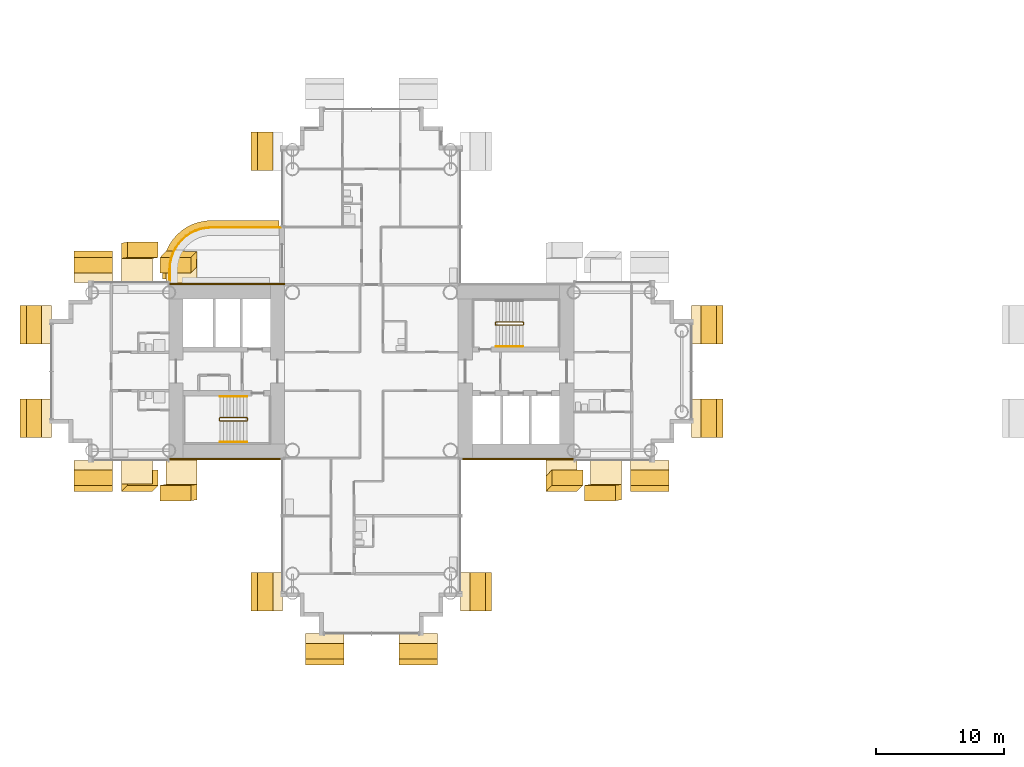
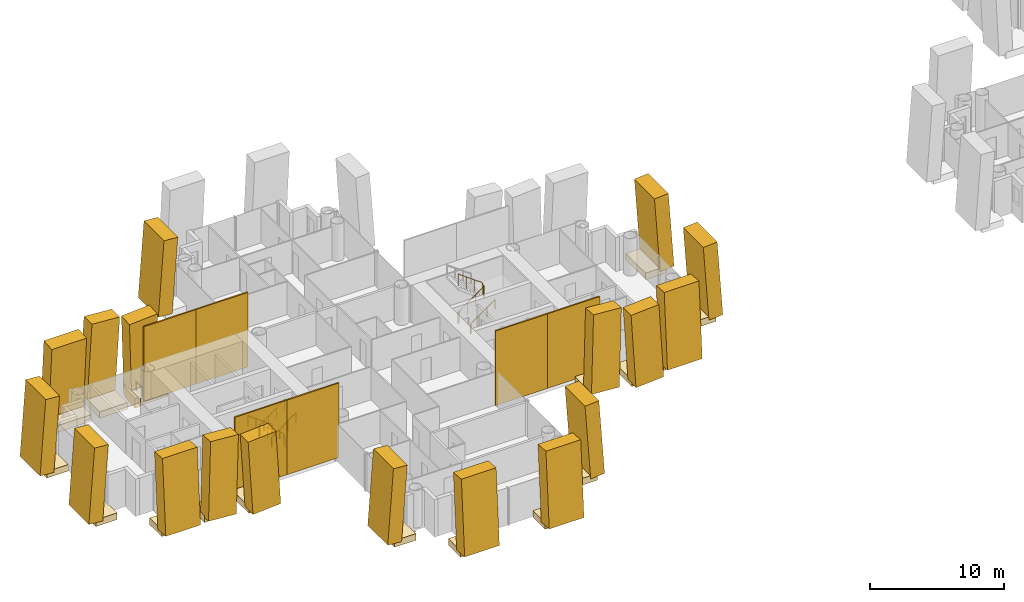
# One storey, part 22 of 25: 42 coverings, 6 railings.
"""IFC4 building model written with IfcOpenShell, lengths in metres."""

from ifc_helpers import new_model, si_unit, direction, frame, origin, origin_2d, place, context, subcontext, project, spatial, polyline, rectangle, circle, outline, extrude, material, layer, layer_set, material_profile, profile_set, type_object, element, save


model = new_model("IFC4")

# Units and contexts
model_context = context("Model", 3, precision=1e-05, world=origin(), true_north=direction((0.0, 1.0)))
body_context = subcontext(model_context, "Body", "Model", "MODEL_VIEW")
ifc_project = project(units=[si_unit("LENGTHUNIT", "METRE"), si_unit("AREAUNIT", "SQUARE_METRE"), si_unit("VOLUMEUNIT", "CUBIC_METRE"), si_unit("PLANEANGLEUNIT", "RADIAN"), si_unit("MASSUNIT", "GRAM", prefix="KILO")], contexts=[model_context])

# Site, building, storey
site_placement = place(None, origin())
site = spatial("IfcSite", under=ifc_project, at=site_placement, CompositionType="ELEMENT")
building_placement = place(site_placement, origin())
building = spatial("IfcBuilding", under=site, at=building_placement, Name="Ipe Terrace Towers", CompositionType="ELEMENT")
storey_placement = place(building_placement, frame((0.0, 0.0, 31.300048828125)))
storey = spatial("IfcBuildingStorey", under=building, at=storey_placement, Name="L07", CompositionType="ELEMENT", Elevation=31.300048828125)

# Railing
ifc_material_1 = material(Name="Stainless steel S316", Category="steel")
railing_type_1 = type_object("IfcRailingType", Name="GUARD 1100", PredefinedType="BALUSTRADE", material=ifc_material_1)
railing_1_placement = place(storey_placement, frame((-43.070068359375, 11.199951171875, -0.02001953125)))
element("IfcRailing", 1, at=railing_1_placement, inside=storey, type_object=railing_type_1, Name="guard", PredefinedType="BALUSTRADE", context=body_context, shape_type="SweptSolid", body=[
    extrude(circle(Radius=0.02392578125, at=origin_2d()), frame((0.0, 0.0, 1.076171875), z_axis=(-1.0, 0.0, 0.0), x_axis=(0.0, -1.0, 0.0)), (0.0, 0.0, 1.0), 5.3779296875),
    extrude(circle(Radius=0.02392578125, at=origin_2d()), frame((-5.3779296875, 0.0, 1.076171875), z_axis=(-0.997872833927, -0.065190546171, 0.0), x_axis=(0.065190546171, -0.997872833927, 0.0)), (0.0, 0.0, 1.0), 0.427001953125),
    extrude(circle(Radius=0.02392578125, at=origin_2d()), frame((-5.803955078125, -0.02783203125, 1.076171875), z_axis=(-0.980756958892, -0.195232649896, 0.0), x_axis=(0.195232649896, -0.980756958892, 0.0)), (0.0, 0.0, 1.0), 0.42529296875),
    extrude(circle(Radius=0.02392578125, at=origin_2d()), frame((-6.220947265625, -0.11083984375, 1.076171875), z_axis=(-0.947355280148, -0.320184280026, 0.0), x_axis=(0.320184280026, -0.947355280148, 0.0)), (0.0, 0.0, 1.0), 0.425537109375),
    extrude(circle(Radius=0.02392578125, at=origin_2d()), frame((-6.6240234375, -0.2470703125, 1.076171875), z_axis=(-0.895801099535, -0.444455160923, 0.0), x_axis=(0.444455160923, -0.895801099535, 0.0)), (0.0, 0.0, 1.0), 0.425048828125),
    extrude(circle(Radius=0.02392578125, at=origin_2d()), frame((-7.0048828125, -0.43603515625, 1.076171875), z_axis=(-0.83151910003, -0.55549616226, 0.0), x_axis=(0.55549616226, -0.83151910003, 0.0)), (0.0, 0.0, 1.0), 0.424560546875),
    extrude(circle(Radius=0.02392578125, at=origin_2d()), frame((-7.35791015625, -0.671875, 1.076171875), z_axis=(-0.752612255774, -0.658463964434, 0.0), x_axis=(0.658463964434, -0.752612255774, 0.0)), (0.0, 0.0, 1.0), 0.42529296875),
    extrude(circle(Radius=0.02392578125, at=origin_2d()), frame((-7.677978515625, -0.951904296875, 1.076171875), z_axis=(-0.658463964434, -0.752612255774, 0.0), x_axis=(0.752612255774, -0.658463964434, 0.0)), (0.0, 0.0, 1.0), 0.42529296875),
    extrude(circle(Radius=0.02392578125, at=origin_2d()), frame((-7.9580078125, -1.27197265625, 1.076171875), z_axis=(-0.55549616226, -0.83151910003, 0.0), x_axis=(0.83151910003, -0.55549616226, 0.0)), (0.0, 0.0, 1.0), 0.424560546875),
    extrude(circle(Radius=0.02392578125, at=origin_2d()), frame((-8.19384765625, -1.625, 1.076171875), z_axis=(-0.444455160923, -0.895801099535, 0.0), x_axis=(0.895801099535, -0.444455160923, 0.0)), (0.0, 0.0, 1.0), 0.425048828125),
    extrude(circle(Radius=0.02392578125, at=origin_2d()), frame((-8.3828125, -2.005859375, 1.076171875), z_axis=(-0.320184280026, -0.947355280148, 0.0), x_axis=(0.947355280148, -0.320184280026, 0.0)), (0.0, 0.0, 1.0), 0.425537109375),
    extrude(circle(Radius=0.02392578125, at=origin_2d()), frame((-8.51904296875, -2.408935546875, 1.076171875), z_axis=(-0.195232649896, -0.980756958892, 0.0), x_axis=(0.980756958892, -0.195232649896, 0.0)), (0.0, 0.0, 1.0), 0.42529296875),
    extrude(circle(Radius=0.02392578125, at=origin_2d()), frame((-8.60205078125, -2.825927734375, 1.076171875), z_axis=(-0.065190546171, -0.997872833927, 0.0), x_axis=(0.997872833927, -0.065190546171, 0.0)), (0.0, 0.0, 1.0), 0.427001953125),
    extrude(circle(Radius=0.02392578125, at=origin_2d()), frame((-8.6298828125, -3.251953125, 1.076171875), z_axis=(0.0, -1.0, 0.0), x_axis=(1.0, 0.0, 0.0)), (0.0, 0.0, 1.0), 0.8779296875),
    extrude(circle(Radius=0.02099609375, at=origin_2d()), origin(), (0.0, 0.0, 1.0), 1.052001953125),
    extrude(circle(Radius=0.02099609375, at=origin_2d()), frame((-1.07568359375, 0.0, 0.0)), (0.0, 0.0, 1.0), 1.052001953125),
    extrude(circle(Radius=0.02099609375, at=origin_2d()), frame((-2.151123046875, 0.0, 0.0)), (0.0, 0.0, 1.0), 1.052001953125),
    extrude(circle(Radius=0.02099609375, at=origin_2d()), frame((-3.226806640625, 0.0, 0.0)), (0.0, 0.0, 1.0), 1.052001953125),
    extrude(circle(Radius=0.02099609375, at=origin_2d()), frame((-4.30224609375, 0.0, 0.0)), (0.0, 0.0, 1.0), 1.052001953125),
    extrude(circle(Radius=0.02099609375, at=origin_2d()), frame((-5.3779296875, 0.0, 0.0)), (0.0, 0.0, 1.0), 1.052001953125),
    extrude(circle(Radius=0.02099609375, at=origin_2d()), frame((-5.803955078125, -0.02783203125, 0.0)), (0.0, 0.0, 1.0), 1.052001953125),
    extrude(circle(Radius=0.02099609375, at=origin_2d()), frame((-6.220947265625, -0.11083984375, 0.0)), (0.0, 0.0, 1.0), 1.052001953125),
    extrude(circle(Radius=0.02099609375, at=origin_2d()), frame((-6.6240234375, -0.2470703125, 0.0)), (0.0, 0.0, 1.0), 1.052001953125),
    extrude(circle(Radius=0.02099609375, at=origin_2d()), frame((-7.0048828125, -0.43603515625, 0.0)), (0.0, 0.0, 1.0), 1.052001953125),
    extrude(circle(Radius=0.02099609375, at=origin_2d()), frame((-7.35791015625, -0.671875, 0.0)), (0.0, 0.0, 1.0), 1.052001953125),
    extrude(circle(Radius=0.02099609375, at=origin_2d()), frame((-7.677978515625, -0.951904296875, 0.0)), (0.0, 0.0, 1.0), 1.052001953125),
    extrude(circle(Radius=0.02099609375, at=origin_2d()), frame((-7.9580078125, -1.27197265625, 0.0)), (0.0, 0.0, 1.0), 1.052001953125),
    extrude(circle(Radius=0.02099609375, at=origin_2d()), frame((-8.19384765625, -1.625, 0.0)), (0.0, 0.0, 1.0), 1.052001953125),
    extrude(circle(Radius=0.02099609375, at=origin_2d()), frame((-8.3828125, -2.005859375, 0.0)), (0.0, 0.0, 1.0), 1.052001953125),
    extrude(circle(Radius=0.02099609375, at=origin_2d()), frame((-8.51904296875, -2.408935546875, 0.0)), (0.0, 0.0, 1.0), 1.052001953125),
    extrude(circle(Radius=0.02099609375, at=origin_2d()), frame((-8.60205078125, -2.825927734375, 0.0)), (0.0, 0.0, 1.0), 1.052001953125),
    extrude(circle(Radius=0.02099609375, at=origin_2d()), frame((-8.6298828125, -3.251953125, 0.0)), (0.0, 0.0, 1.0), 1.052001953125),
    extrude(circle(Radius=0.02099609375, at=origin_2d()), frame((-8.6298828125, -4.1298828125, 0.0)), (0.0, 0.0, 1.0), 1.052001953125),
])

# Coverings
ifc_material_2 = material(Name="Concrete C50/60 precast, buff finish", Category="concrete")
ifc_layer_1 = layer(ifc_material_2, 0.1201171875)
ifc_layer_set_1 = layer_set([ifc_layer_1], Name="STONE CORE CLADDING 120")
covering_type_1 = type_object("IfcCoveringType", Name="STONE CORE CLADDING 120", PredefinedType="CLADDING", material=ifc_layer_set_1)
covering_1_placement = place(storey_placement, frame((-49.5009765625, -6.81005859375, 0.0), z_axis=(0.0, 0.0, 1.0), x_axis=(1.0, 0.0, 0.0)))
element("IfcCovering", 2, at=covering_1_placement, inside=storey, type_object=covering_type_1, Name="stone core cladding", PredefinedType="CLADDING", context=body_context, shape_type="SweptSolid", body=[
    extrude(rectangle(XDim=4.5009765625, YDim=0.1201171875, at=origin_2d()), origin(), (0.0, 0.0, 1.0), 6.800048828125),
])
covering_2_placement = place(storey_placement, frame((-45.0, -6.81005859375, 0.0), z_axis=(0.0, 0.0, 1.0), x_axis=(1.0, 0.0, 0.0)))
element("IfcCovering", 3, at=covering_2_placement, inside=storey, type_object=covering_type_1, Name="stone core cladding", PredefinedType="CLADDING", context=body_context, shape_type="SweptSolid", body=[
    extrude(rectangle(XDim=4.5, YDim=0.1201171875, at=origin_2d()), origin(), (0.0, 0.0, 1.0), 6.800048828125),
])
covering_3_placement = place(storey_placement, frame((-49.5009765625, 6.81005859375, 0.0), z_axis=(0.0, 0.0, 1.0), x_axis=(-1.0, 0.0, 0.0)))
element("IfcCovering", 4, at=covering_3_placement, inside=storey, type_object=covering_type_1, Name="stone core cladding", PredefinedType="CLADDING", context=body_context, shape_type="SweptSolid", body=[
    extrude(rectangle(XDim=4.5009765625, YDim=0.1201171875, at=origin_2d()), origin(), (0.0, 0.0, 1.0), 6.800048828125),
])
for number, where, z_axis, x_axis, name in (
    (5, (-45.0, 6.81005859375, 0.0), (0.0, 0.0, 1.0), (-1.0, 0.0, 0.0), "stone core cladding"),
    (6, (-27.0, -6.81005859375, 0.0), (0.0, 0.0, 1.0), (1.0, 0.0, 0.0), "stone core cladding"),
):
    element("IfcCovering", number, at=place(storey_placement, frame(where, z_axis=z_axis, x_axis=x_axis)), inside=storey, type_object=covering_type_1, Name=name, PredefinedType="CLADDING", context=body_context, shape_type="SweptSolid", body=[
        extrude(rectangle(XDim=4.5, YDim=0.1201171875, at=origin_2d()), origin(), (0.0, 0.0, 1.0), 6.800048828125),
    ])
covering_4_placement = place(storey_placement, frame((-22.4990234375, -6.81005859375, 0.0), z_axis=(0.0, 0.0, 1.0), x_axis=(1.0, 0.0, 0.0)))
element("IfcCovering", 7, at=covering_4_placement, inside=storey, type_object=covering_type_1, Name="stone core cladding", PredefinedType="CLADDING", context=body_context, shape_type="SweptSolid", body=[
    extrude(rectangle(XDim=4.5009765625, YDim=0.1201171875, at=origin_2d()), origin(), (0.0, 0.0, 1.0), 6.800048828125),
])
ifc_material_3 = material(Name="Concrete C50/60 precast, buff finish", Category="concrete")
ifc_layer_2 = layer(ifc_material_3, 0.5)
ifc_layer_set_2 = layer_set([ifc_layer_2], Name="STONE EDGE BAND 500 x 900")
covering_type_2 = type_object("IfcCoveringType", Name="STONE EDGE BAND 500 x 900", PredefinedType="CLADDING", material=ifc_layer_set_2)
covering_5_placement = place(storey_placement, frame((0.0, 0.0, -0.719970703125)))
element("IfcCovering", 8, at=covering_5_placement, inside=storey, type_object=covering_type_2, Name="stone edge band", PredefinedType="CLADDING", context=body_context, shape_type="SweptSolid", body=[
    extrude(outline(polyline([(-48.449951171875, 11.75), (-48.48291015625, 11.7490234375), (-48.9130859375, 11.720947265625), (-48.97802734375, 11.7119140625), (-49.402099609375, 11.6279296875), (-49.465087890625, 11.611083984375), (-49.8740234375, 11.471923828125), (-49.93408203125, 11.447021484375), (-50.321044921875, 11.256103515625), (-50.3779296875, 11.22412109375), (-50.737060546875, 10.98388671875), (-50.7890625, 10.944091796875), (-51.113037109375, 10.658935546875), (-51.158935546875, 10.613037109375), (-51.444091796875, 10.2890625), (-51.48388671875, 10.237060546875), (-51.72412109375, 9.8779296875), (-51.756103515625, 9.821044921875), (-51.947021484375, 9.43408203125), (-51.971923828125, 9.3740234375), (-52.111083984375, 8.965087890625), (-52.1279296875, 8.902099609375), (-52.2119140625, 8.47802734375), (-52.220947265625, 8.4130859375), (-52.2490234375, 7.98291015625), (-52.25, 7.949951171875), (-52.25, 7.199951171875), (-51.75, 7.199951171875), (-51.75, 7.949951171875), (-51.721923828125, 8.381103515625), (-51.637939453125, 8.803955078125), (-51.4990234375, 9.212890625), (-51.30810546875, 9.60009765625), (-51.068115234375, 9.958984375), (-50.782958984375, 10.282958984375), (-50.458984375, 10.568115234375), (-50.10009765625, 10.80810546875), (-49.712890625, 10.9990234375), (-49.303955078125, 11.137939453125), (-48.881103515625, 11.221923828125), (-48.449951171875, 11.25), (-43.199951171875, 11.25), (-43.199951171875, 11.75), (-48.449951171875, 11.75)])), origin(), (0.0, 0.0, 1.0), 0.89990234375),
])
ifc_material_4 = material(Name="Concrete C50/60 precast, buff finish", Category="concrete")
ifc_material_profile_1 = material_profile(ifc_material_4, rectangle(XDim=2.39990234375, YDim=1.199951171875, at=origin_2d()), Name="STONE FIN 2400 x 1200")
ifc_profile_set_1 = profile_set([ifc_material_profile_1], Name="Concrete C50/60 precast, buff finish")
covering_type_3 = type_object("IfcCoveringType", Name="STONE FIN 2400 x 1200", PredefinedType="USERDEFINED", material=ifc_profile_set_1)
covering_6_placement = place(storey_placement, frame((-17.739013671875, -9.388916015625, 0.0), z_axis=(-0.068052528161, -0.011604746907, 0.997614245718), x_axis=(0.99768173954, -0.000791567422, 0.068047924363)))
element("IfcCovering", 9, at=covering_6_placement, inside=storey, type_object=covering_type_3, Name="stone fin", ObjectType="FIN", PredefinedType="USERDEFINED", context=body_context, shape_type="SweptSolid", body=[
    extrude(rectangle(XDim=2.39990234375, YDim=1.199951171875, at=origin_2d()), origin(), (0.0, 0.0, 1.0), 6.81640625),
])
covering_7_placement = place(storey_placement, frame((-21.2109375, -8.758056640625, 0.0), z_axis=(0.067881925236, 0.071704749447, 0.995113296632), x_axis=(0.997693361823, -0.004878709859, -0.067706380526)))
element("IfcCovering", 10, at=covering_7_placement, inside=storey, type_object=covering_type_3, Name="stone fin", ObjectType="FIN", PredefinedType="USERDEFINED", context=body_context, shape_type="SweptSolid", body=[
    extrude(rectangle(XDim=2.39990234375, YDim=1.199951171875, at=origin_2d()), origin(), (0.0, 0.0, 1.0), 6.83349609375),
])
covering_8_placement = place(storey_placement, frame((-50.7890625, -9.388916015625, 0.0), z_axis=(-0.068052528161, -0.011604746907, 0.997614245718), x_axis=(0.99768173954, -0.000791567422, 0.068047924363)))
element("IfcCovering", 11, at=covering_8_placement, inside=storey, type_object=covering_type_3, Name="stone fin", ObjectType="FIN", PredefinedType="USERDEFINED", context=body_context, shape_type="SweptSolid", body=[
    extrude(rectangle(XDim=2.39990234375, YDim=1.199951171875, at=origin_2d()), origin(), (0.0, 0.0, 1.0), 6.81640625),
])
for number, where, z_axis, x_axis, name in (
    (12, (-50.7890625, 8.758056640625, 0.0), (-0.067881925236, -0.071704749447, 0.995113296632), (-0.997693361823, 0.004878709859, -0.067706380526), "stone fin"),
    (13, (-54.260986328125, -8.758056640625, 0.0), (0.067881925236, 0.071704749447, 0.995113296632), (0.997693361823, -0.004878709859, -0.067706380526), "stone fin"),
):
    element("IfcCovering", number, at=place(storey_placement, frame(where, z_axis=z_axis, x_axis=x_axis)), inside=storey, type_object=covering_type_3, Name=name, ObjectType="FIN", PredefinedType="USERDEFINED", context=body_context, shape_type="SweptSolid", body=[
        extrude(rectangle(XDim=2.39990234375, YDim=1.199951171875, at=origin_2d()), origin(), (0.0, 0.0, 1.0), 6.83349609375),
    ])
covering_9_placement = place(storey_placement, frame((-54.260986328125, 9.388916015625, 0.0), z_axis=(0.068052528161, 0.011604746907, 0.997614245718), x_axis=(-0.99768173954, 0.000791567422, 0.068047924363)))
element("IfcCovering", 14, at=covering_9_placement, inside=storey, type_object=covering_type_3, Name="stone fin", ObjectType="FIN", PredefinedType="USERDEFINED", context=body_context, shape_type="SweptSolid", body=[
    extrude(rectangle(XDim=2.39990234375, YDim=1.199951171875, at=origin_2d()), origin(), (0.0, 0.0, 1.0), 6.81640625),
])
ifc_material_5 = material(Name="Concrete C50/60 precast, buff finish", Category="concrete")
ifc_material_profile_2 = material_profile(ifc_material_5, rectangle(XDim=3.0, YDim=1.199951171875, at=origin_2d()), Name="STONE FIN CORNER 3000 x 1200")
ifc_profile_set_2 = profile_set([ifc_material_profile_2], Name="Concrete C50/60 precast, buff finish")
covering_type_4 = type_object("IfcCoveringType", Name="STONE FIN CORNER 3000 x 1200", PredefinedType="USERDEFINED", material=ifc_profile_set_2)
for number, where, z_axis, x_axis, name in (
    (15, (-9.241943359375, -3.64990234375, 0.0), (-0.071870528752, 0.0, 0.997413969772), (0.0, 1.0, 0.0), "stone fin"),
    (16, (-9.241943359375, 3.64990234375, 0.0), (-0.071870528752, 0.0, 0.997413969772), (0.0, 1.0, 0.0), "stone fin"),
    (17, (-14.35009765625, -8.758056640625, 0.0), (0.0, 0.071870528752, 0.997413969772), (1.0, 0.0, 0.0), "stone fin"),
    (18, (-27.241943359375, -17.14990234375, 0.0), (-0.071870528752, 0.0, 0.997413969772), (0.0, 1.0, 0.0), "stone fin"),
    (19, (-32.35009765625, -22.258056640625, 0.0), (0.0, 0.071870528752, 0.997413969772), (1.0, 0.0, 0.0), "stone fin"),
    (20, (-39.64990234375, -22.258056640625, 0.0), (0.0, 0.071870528752, 0.997413969772), (1.0, 0.0, 0.0), "stone fin"),
    (21, (-44.758056640625, -17.14990234375, 0.0), (0.071870528752, 0.0, 0.997413969772), (0.0, -1.0, 0.0), "stone fin"),
    (22, (-44.758056640625, 17.14990234375, 0.0), (0.071870528752, 0.0, 0.997413969772), (0.0, -1.0, 0.0), "stone fin"),
    (23, (-57.64990234375, -8.758056640625, 0.0), (0.0, 0.071870528752, 0.997413969772), (1.0, 0.0, 0.0), "stone fin"),
    (24, (-57.64990234375, 8.758056640625, 0.0), (0.0, -0.071870528752, 0.997413969772), (-1.0, 0.0, 0.0), "stone fin"),
    (25, (-62.758056640625, -3.64990234375, 0.0), (0.071870528752, 0.0, 0.997413969772), (0.0, -1.0, 0.0), "stone fin"),
    (26, (-62.758056640625, 3.64990234375, 0.0), (0.071870528752, 0.0, 0.997413969772), (0.0, -1.0, 0.0), "stone fin"),
):
    element("IfcCovering", number, at=place(storey_placement, frame(where, z_axis=z_axis, x_axis=x_axis)), inside=storey, type_object=covering_type_4, Name=name, ObjectType="FIN", PredefinedType="USERDEFINED", context=body_context, shape_type="SweptSolid", body=[
        extrude(rectangle(XDim=3.0, YDim=1.199951171875, at=origin_2d()), origin(), (0.0, 0.0, 1.0), 6.817626953125),
    ])
ifc_material_6 = material(Name="Concrete C50/60 precast, buff finish", Category="concrete")
covering_type_5 = type_object("IfcCoveringType", Name="STONE FIN SHELF 2400 x 600", PredefinedType="CLADDING", material=ifc_material_6)
covering_10_placement = place(storey_placement, frame((-17.739013671875, -8.152099609375, -0.35009765625), z_axis=(0.0, 0.0, 1.0), x_axis=(1.0, 0.0, 0.0)))
element("IfcCovering", 27, at=covering_10_placement, inside=storey, type_object=covering_type_5, Name="stone fin shelf", PredefinedType="CLADDING", context=body_context, shape_type="SweptSolid", body=[
    extrude(rectangle(XDim=2.39990234375, YDim=2.472900390625, at=origin_2d()), origin(), (0.0, 0.0, 1.0), 0.60009765625),
])
covering_11_placement = place(storey_placement, frame((-21.2109375, -7.80908203125, -0.35009765625), z_axis=(0.0, 0.0, 1.0), x_axis=(1.0, 0.0, 0.0)))
element("IfcCovering", 28, at=covering_11_placement, inside=storey, type_object=covering_type_5, Name="stone fin shelf", PredefinedType="CLADDING", context=body_context, shape_type="SweptSolid", body=[
    extrude(rectangle(XDim=2.39990234375, YDim=1.89794921875, at=origin_2d()), origin(), (0.0, 0.0, 1.0), 0.60009765625),
])
covering_12_placement = place(storey_placement, frame((-50.7890625, -8.1240234375, -0.35009765625), z_axis=(0.0, 0.0, 1.0), x_axis=(1.0, 0.0, 0.0)))
element("IfcCovering", 29, at=covering_12_placement, inside=storey, type_object=covering_type_5, Name="stone fin shelf", PredefinedType="CLADDING", context=body_context, shape_type="SweptSolid", body=[
    extrude(rectangle(XDim=2.39990234375, YDim=2.529052734375, at=origin_2d()), origin(), (0.0, 0.0, 1.0), 0.60009765625),
])
covering_13_placement = place(storey_placement, frame((-50.7890625, 7.80908203125, -0.35009765625), z_axis=(0.0, 0.0, 1.0), x_axis=(-1.0, 0.0, 0.0)))
element("IfcCovering", 30, at=covering_13_placement, inside=storey, type_object=covering_type_5, Name="stone fin shelf", PredefinedType="CLADDING", context=body_context, shape_type="SweptSolid", body=[
    extrude(rectangle(XDim=2.39990234375, YDim=1.89794921875, at=origin_2d()), origin(), (0.0, 0.0, 1.0), 0.60009765625),
])
covering_14_placement = place(storey_placement, frame((-54.260986328125, -7.8369140625, -0.35009765625), z_axis=(0.0, 0.0, 1.0), x_axis=(1.0, 0.0, 0.0)))
element("IfcCovering", 31, at=covering_14_placement, inside=storey, type_object=covering_type_5, Name="stone fin shelf", PredefinedType="CLADDING", context=body_context, shape_type="SweptSolid", body=[
    extrude(rectangle(XDim=2.39990234375, YDim=1.842041015625, at=origin_2d()), origin(), (0.0, 0.0, 1.0), 0.60009765625),
])
covering_15_placement = place(storey_placement, frame((-54.260986328125, 8.152099609375, -0.35009765625), z_axis=(0.0, 0.0, 1.0), x_axis=(-1.0, 0.0, 0.0)))
element("IfcCovering", 32, at=covering_15_placement, inside=storey, type_object=covering_type_5, Name="stone fin shelf", PredefinedType="CLADDING", context=body_context, shape_type="SweptSolid", body=[
    extrude(rectangle(XDim=2.39990234375, YDim=2.472900390625, at=origin_2d()), origin(), (0.0, 0.0, 1.0), 0.60009765625),
])
ifc_material_7 = material(Name="Concrete C50/60 precast, buff finish", Category="concrete")
covering_type_6 = type_object("IfcCoveringType", Name="STONE FIN SHELF 3000 x 600", PredefinedType="CLADDING", material=ifc_material_7)
for number, where, z_axis, x_axis, name in (
    (33, (-10.1630859375, -3.64990234375, -0.35009765625), (0.0, 0.0, 1.0), (0.0, 1.0, 0.0), "stone fin shelf"),
    (34, (-10.1630859375, 3.64990234375, -0.35009765625), (0.0, 0.0, 1.0), (0.0, 1.0, 0.0), "stone fin shelf"),
    (35, (-14.35009765625, -7.8369140625, -0.35009765625), (0.0, 0.0, 1.0), (1.0, 0.0, 0.0), "stone fin shelf"),
    (36, (-28.1630859375, -17.14990234375, -0.35009765625), (0.0, 0.0, 1.0), (0.0, 1.0, 0.0), "stone fin shelf"),
    (37, (-32.35009765625, -21.3369140625, -0.35009765625), (0.0, 0.0, 1.0), (1.0, 0.0, 0.0), "stone fin shelf"),
    (38, (-39.64990234375, -21.3369140625, -0.35009765625), (0.0, 0.0, 1.0), (1.0, 0.0, 0.0), "stone fin shelf"),
    (39, (-43.8369140625, -17.14990234375, -0.35009765625), (0.0, 0.0, 1.0), (0.0, -1.0, 0.0), "stone fin shelf"),
    (40, (-57.64990234375, -7.8369140625, -0.35009765625), (0.0, 0.0, 1.0), (1.0, 0.0, 0.0), "stone fin shelf"),
    (41, (-57.64990234375, 7.8369140625, -0.35009765625), (0.0, 0.0, 1.0), (-1.0, 0.0, 0.0), "stone fin shelf"),
    (42, (-61.8369140625, -3.64990234375, -0.35009765625), (0.0, 0.0, 1.0), (0.0, -1.0, 0.0), "stone fin shelf"),
    (43, (-61.8369140625, 3.64990234375, -0.35009765625), (0.0, 0.0, 1.0), (0.0, -1.0, 0.0), "stone fin shelf"),
):
    element("IfcCovering", number, at=place(storey_placement, frame(where, z_axis=z_axis, x_axis=x_axis)), inside=storey, type_object=covering_type_6, Name=name, PredefinedType="CLADDING", context=body_context, shape_type="SweptSolid", body=[
        extrude(rectangle(XDim=3.0, YDim=1.842041015625, at=origin_2d()), origin(), (0.0, 0.0, 1.0), 0.60009765625),
    ])

# Railings
ifc_material_8 = material(Name="Steel S355", Category="steel")
railing_type_2 = type_object("IfcRailingType", Name="Stair guard 1100", PredefinedType="GUARDRAIL", material=ifc_material_8)
railing_2_placement = place(storey_placement, frame((-26.35009765625, 3.800048828125, 0.0)))
element("IfcRailing", 44, at=railing_2_placement, inside=storey, type_object=railing_type_2, Name="L07 T1-ST1 stair guard 1", PredefinedType="GUARDRAIL", context=body_context, shape_type="SweptSolid", body=[
    extrude(circle(Radius=0.02392578125, at=origin_2d()), frame((0.0, 0.0, 1.076171875), z_axis=(0.0, -1.0, 0.0), x_axis=(1.0, 0.0, 0.0)), (0.0, 0.0, 1.0), 0.150146484375),
    extrude(circle(Radius=0.02392578125, at=origin_2d()), frame((0.0, -0.150146484375, 1.076171875), z_axis=(0.248385422981, -0.247173786771, 0.936594790069), x_axis=(0.705375805398, 0.708833529934, 0.0)), (0.0, 0.0, 1.0), 0.201416015625),
    extrude(circle(Radius=0.02392578125, at=origin_2d()), frame((0.050048828125, -0.199951171875, 1.2646484375), z_axis=(0.809023421508, 0.0, 0.587776406001), x_axis=(0.0, 1.0, 0.0)), (0.0, 0.0, 1.0), 2.571044921875),
    extrude(circle(Radius=0.02392578125, at=origin_2d()), frame((2.130126953125, -0.199951171875, 2.77587890625), z_axis=(0.708833529934, 0.705375805398, 0.0), x_axis=(-0.705375805398, 0.708833529934, 0.0)), (0.0, 0.0, 1.0), 0.070556640625),
    extrude(circle(Radius=0.02392578125, at=origin_2d()), frame((2.18017578125, -0.150146484375, 2.77587890625), z_axis=(0.0, 1.0, 0.0), x_axis=(-1.0, 0.0, 0.0)), (0.0, 0.0, 1.0), 0.150146484375),
    extrude(circle(Radius=0.02392578125, at=origin_2d()), frame((2.18017578125, 0.0, 2.77587890625), z_axis=(-0.248029566107, 0.248029566107, 0.936462849596), x_axis=(-0.707106781187, -0.707106781187, 0.0)), (0.0, 0.0, 1.0), 0.201904296875),
    extrude(circle(Radius=0.02392578125, at=origin_2d()), frame((2.130126953125, 0.050048828125, 2.96484375), z_axis=(-0.809068575486, 0.0, 0.587714250432), x_axis=(0.0, -1.0, 0.0)), (0.0, 0.0, 1.0), 2.571044921875),
    extrude(circle(Radius=0.02099609375, at=origin_2d()), origin(), (0.0, 0.0, 1.0), 1.052001953125),
    extrude(circle(Radius=0.02099609375, at=origin_2d()), frame((0.0, -0.150146484375, 0.0)), (0.0, 0.0, 1.0), 1.052001953125),
    extrude(circle(Radius=0.02099609375, at=origin_2d()), frame((0.050048828125, -0.199951171875, 0.188720703125)), (0.0, 0.0, 1.0), 1.052001953125),
    extrude(circle(Radius=0.02099609375, at=origin_2d()), frame((0.743408203125, -0.199951171875, 0.6923828125)), (0.0, 0.0, 1.0), 1.052001953125),
    extrude(circle(Radius=0.02099609375, at=origin_2d()), frame((1.436767578125, -0.199951171875, 1.1962890625)), (0.0, 0.0, 1.0), 1.052001953125),
    extrude(circle(Radius=0.02099609375, at=origin_2d()), frame((2.130126953125, -0.199951171875, 1.699951171875)), (0.0, 0.0, 1.0), 1.052001953125),
    extrude(circle(Radius=0.02099609375, at=origin_2d()), frame((2.18017578125, -0.150146484375, 1.699951171875)), (0.0, 0.0, 1.0), 1.052001953125),
    extrude(circle(Radius=0.02099609375, at=origin_2d()), frame((2.18017578125, 0.0, 1.699951171875)), (0.0, 0.0, 1.0), 1.052001953125),
    extrude(circle(Radius=0.02099609375, at=origin_2d()), frame((2.130126953125, 0.050048828125, 1.888916015625)), (0.0, 0.0, 1.0), 1.052001953125),
    extrude(circle(Radius=0.02099609375, at=origin_2d()), frame((1.436767578125, 0.050048828125, 2.392578125)), (0.0, 0.0, 1.0), 1.052001953125),
    extrude(circle(Radius=0.02099609375, at=origin_2d()), frame((0.743408203125, 0.050048828125, 2.896240234375)), (0.0, 0.0, 1.0), 1.052001953125),
    extrude(circle(Radius=0.02099609375, at=origin_2d()), frame((0.050048828125, 0.050048828125, 3.39990234375)), (0.0, 0.0, 1.0), 1.052001953125),
])
railing_3_placement = place(storey_placement, frame((-45.64990234375, -3.800048828125, 0.0)))
element("IfcRailing", 45, at=railing_3_placement, inside=storey, type_object=railing_type_2, Name="L07 T1-ST2 stair guard 1", PredefinedType="GUARDRAIL", context=body_context, shape_type="SweptSolid", body=[
    extrude(circle(Radius=0.02392578125, at=origin_2d()), frame((0.0, 0.0, 1.076171875), z_axis=(0.0, 1.0, 0.0), x_axis=(-1.0, 0.0, 0.0)), (0.0, 0.0, 1.0), 0.150146484375),
    extrude(circle(Radius=0.02392578125, at=origin_2d()), frame((0.0, 0.150146484375, 1.076171875), z_axis=(-0.248385422981, 0.247173786771, 0.936594790069), x_axis=(-0.705375805398, -0.708833529934, 0.0)), (0.0, 0.0, 1.0), 0.201416015625),
    extrude(circle(Radius=0.02392578125, at=origin_2d()), frame((-0.050048828125, 0.199951171875, 1.2646484375), z_axis=(-0.809023421508, 0.0, 0.587776406001), x_axis=(0.0, -1.0, 0.0)), (0.0, 0.0, 1.0), 2.571044921875),
    extrude(circle(Radius=0.02392578125, at=origin_2d()), frame((-2.130126953125, 0.199951171875, 2.77587890625), z_axis=(-0.708833529934, -0.705375805398, 0.0), x_axis=(0.705375805398, -0.708833529934, 0.0)), (0.0, 0.0, 1.0), 0.070556640625),
    extrude(circle(Radius=0.02392578125, at=origin_2d()), frame((-2.18017578125, 0.150146484375, 2.77587890625), z_axis=(0.0, -1.0, 0.0), x_axis=(1.0, 0.0, 0.0)), (0.0, 0.0, 1.0), 0.150146484375),
    extrude(circle(Radius=0.02392578125, at=origin_2d()), frame((-2.18017578125, 0.0, 2.77587890625), z_axis=(0.248029566107, -0.248029566107, 0.936462849596), x_axis=(0.707106781187, 0.707106781187, 0.0)), (0.0, 0.0, 1.0), 0.201904296875),
    extrude(circle(Radius=0.02392578125, at=origin_2d()), frame((-2.130126953125, -0.050048828125, 2.96484375), z_axis=(0.809068575486, 0.0, 0.587714250432), x_axis=(0.0, 1.0, 0.0)), (0.0, 0.0, 1.0), 2.571044921875),
    extrude(circle(Radius=0.02099609375, at=origin_2d()), origin(), (0.0, 0.0, 1.0), 1.052001953125),
    extrude(circle(Radius=0.02099609375, at=origin_2d()), frame((0.0, 0.150146484375, 0.0)), (0.0, 0.0, 1.0), 1.052001953125),
    extrude(circle(Radius=0.02099609375, at=origin_2d()), frame((-0.050048828125, 0.199951171875, 0.188720703125)), (0.0, 0.0, 1.0), 1.052001953125),
    extrude(circle(Radius=0.02099609375, at=origin_2d()), frame((-0.743408203125, 0.199951171875, 0.6923828125)), (0.0, 0.0, 1.0), 1.052001953125),
    extrude(circle(Radius=0.02099609375, at=origin_2d()), frame((-1.436767578125, 0.199951171875, 1.1962890625)), (0.0, 0.0, 1.0), 1.052001953125),
    extrude(circle(Radius=0.02099609375, at=origin_2d()), frame((-2.130126953125, 0.199951171875, 1.699951171875)), (0.0, 0.0, 1.0), 1.052001953125),
    extrude(circle(Radius=0.02099609375, at=origin_2d()), frame((-2.18017578125, 0.150146484375, 1.699951171875)), (0.0, 0.0, 1.0), 1.052001953125),
    extrude(circle(Radius=0.02099609375, at=origin_2d()), frame((-2.18017578125, 0.0, 1.699951171875)), (0.0, 0.0, 1.0), 1.052001953125),
    extrude(circle(Radius=0.02099609375, at=origin_2d()), frame((-2.130126953125, -0.050048828125, 1.888916015625)), (0.0, 0.0, 1.0), 1.052001953125),
    extrude(circle(Radius=0.02099609375, at=origin_2d()), frame((-1.436767578125, -0.050048828125, 2.392578125)), (0.0, 0.0, 1.0), 1.052001953125),
    extrude(circle(Radius=0.02099609375, at=origin_2d()), frame((-0.743408203125, -0.050048828125, 2.896240234375)), (0.0, 0.0, 1.0), 1.052001953125),
    extrude(circle(Radius=0.02099609375, at=origin_2d()), frame((-0.050048828125, -0.050048828125, 3.39990234375)), (0.0, 0.0, 1.0), 1.052001953125),
])
ifc_material_9 = material(Name="Stainless steel grade 304", Category="steel")
railing_type_3 = type_object("IfcRailingType", Name="Stair handrail 900", PredefinedType="HANDRAIL", material=ifc_material_9)
railing_4_placement = place(storey_placement, frame((-26.300048828125, 1.949951171875, 0.188720703125)))
element("IfcRailing", 46, at=railing_4_placement, inside=storey, type_object=railing_type_3, Name="L07 T1-ST1 stair handrail 1", PredefinedType="HANDRAIL", context=body_context, shape_type="SweptSolid", body=[
    extrude(circle(Radius=0.02392578125, at=origin_2d()), frame((0.0, 0.0, 0.8759765625), z_axis=(0.809023421508, 0.0, 0.587776406001), x_axis=(0.0, 1.0, 0.0)), (0.0, 0.0, 1.0), 2.571044921875),
    extrude(circle(Radius=0.02099609375, at=origin_2d()), origin(), (0.0, 0.0, 1.0), 0.851806640625),
    extrude(circle(Radius=0.02099609375, at=origin_2d()), frame((0.693359375, 0.0, 0.503662109375)), (0.0, 0.0, 1.0), 0.851806640625),
    extrude(circle(Radius=0.02099609375, at=origin_2d()), frame((1.38671875, 0.0, 1.007568359375)), (0.0, 0.0, 1.0), 0.851806640625),
    extrude(circle(Radius=0.02099609375, at=origin_2d()), frame((2.080078125, 0.0, 1.51123046875)), (0.0, 0.0, 1.0), 0.851806640625),
])
railing_5_placement = place(storey_placement, frame((-45.699951171875, -1.949951171875, 0.188720703125)))
element("IfcRailing", 47, at=railing_5_placement, inside=storey, type_object=railing_type_3, Name="L07 T1-ST2 stair handrail 1", PredefinedType="HANDRAIL", context=body_context, shape_type="SweptSolid", body=[
    extrude(circle(Radius=0.02392578125, at=origin_2d()), frame((0.0, 0.0, 0.8759765625), z_axis=(-0.809023421508, 0.0, 0.587776406001), x_axis=(0.0, -1.0, 0.0)), (0.0, 0.0, 1.0), 2.571044921875),
    extrude(circle(Radius=0.02099609375, at=origin_2d()), origin(), (0.0, 0.0, 1.0), 0.851806640625),
    extrude(circle(Radius=0.02099609375, at=origin_2d()), frame((-0.693359375, 0.0, 0.503662109375)), (0.0, 0.0, 1.0), 0.851806640625),
    extrude(circle(Radius=0.02099609375, at=origin_2d()), frame((-1.38671875, 0.0, 1.007568359375)), (0.0, 0.0, 1.0), 0.851806640625),
    extrude(circle(Radius=0.02099609375, at=origin_2d()), frame((-2.080078125, 0.0, 1.51123046875)), (0.0, 0.0, 1.0), 0.851806640625),
])
railing_6_placement = place(storey_placement, frame((-47.780029296875, -5.5, 1.888916015625)))
element("IfcRailing", 48, at=railing_6_placement, inside=storey, type_object=railing_type_3, Name="L07 T1-ST2 stair handrail 2", PredefinedType="HANDRAIL", context=body_context, shape_type="SweptSolid", body=[
    extrude(circle(Radius=0.02392578125, at=origin_2d()), frame((0.0, 0.0, 0.8759765625), z_axis=(0.809068575486, 0.0, 0.587714250432), x_axis=(0.0, 1.0, 0.0)), (0.0, 0.0, 1.0), 2.571044921875),
    extrude(circle(Radius=0.02099609375, at=origin_2d()), origin(), (0.0, 0.0, 1.0), 0.851806640625),
    extrude(circle(Radius=0.02099609375, at=origin_2d()), frame((0.693359375, 0.0, 0.503662109375)), (0.0, 0.0, 1.0), 0.851806640625),
    extrude(circle(Radius=0.02099609375, at=origin_2d()), frame((1.38671875, 0.0, 1.00732421875)), (0.0, 0.0, 1.0), 0.851806640625),
    extrude(circle(Radius=0.02099609375, at=origin_2d()), frame((2.080078125, 0.0, 1.510986328125)), (0.0, 0.0, 1.0), 0.851806640625),
])

save(model, "model.ifc")
